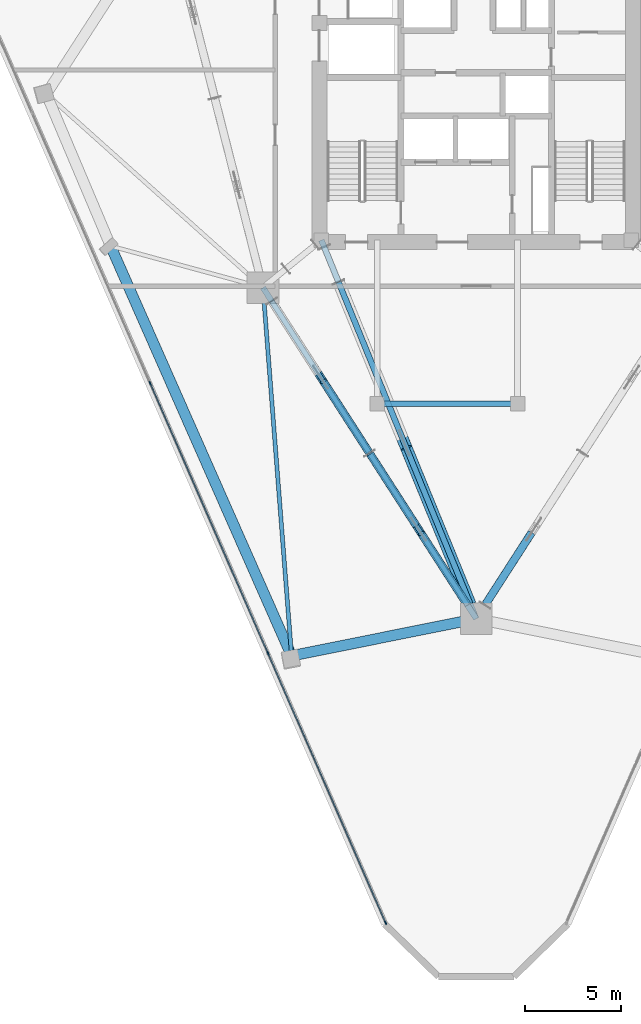
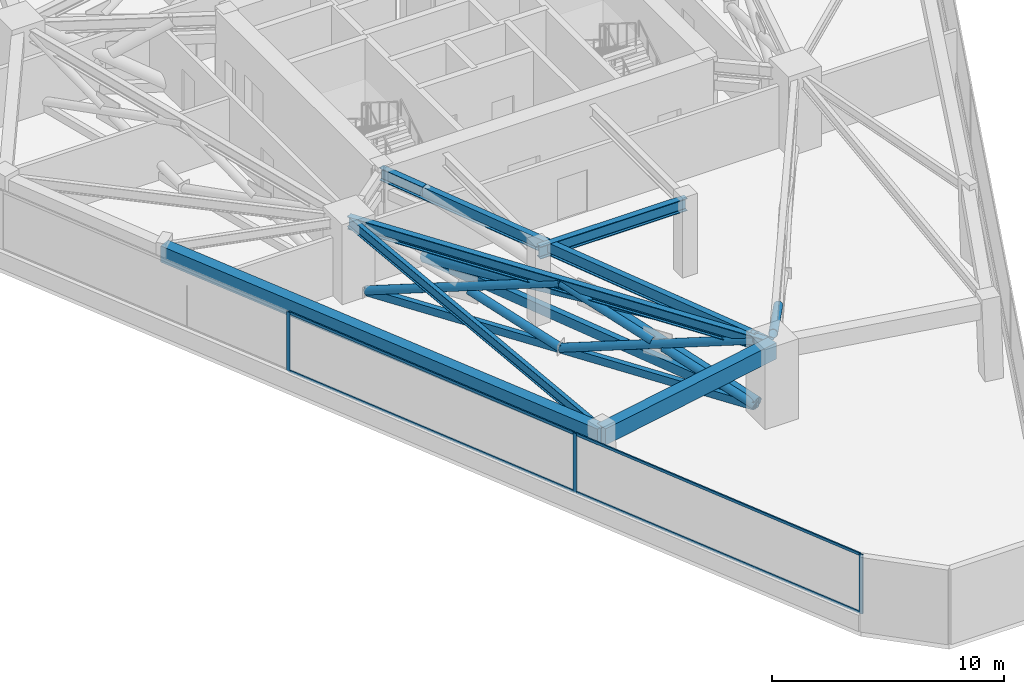
# One storey, part 2 of 14: 21 members, 6 beams, 1 element without a shape of its own.
"""IFC4 building model written with IfcOpenShell, lengths in metres."""

from ifc_helpers import new_model, si_unit, direction, frame, origin, origin_2d, place, context, subcontext, project, spatial, rectangle, hollow_rectangle, hollow_circle, i_section, extrude, material, layer, layer_set, material_profile, profile_set, type_object, element, aggregate, save


model = new_model("IFC4")

# Units and contexts
model_context = context("Model", 3, precision=1e-05, world=origin(), true_north=direction((0.0, 1.0)))
body_context = subcontext(model_context, "Body", "Model", "MODEL_VIEW")
ifc_project = project(units=[si_unit("LENGTHUNIT", "METRE"), si_unit("AREAUNIT", "SQUARE_METRE"), si_unit("VOLUMEUNIT", "CUBIC_METRE"), si_unit("PLANEANGLEUNIT", "RADIAN"), si_unit("MASSUNIT", "GRAM", prefix="KILO")], contexts=[model_context])

# Site, building, storey
site_placement = place(None, origin())
site = spatial("IfcSite", under=ifc_project, at=site_placement, CompositionType="ELEMENT")
building_placement = place(site_placement, origin())
building = spatial("IfcBuilding", under=site, at=building_placement, Name="Talyreon Biosciences Tower", CompositionType="ELEMENT")
storey_placement = place(building_placement, frame((0.0, 0.0, 123.0)))
storey = spatial("IfcBuildingStorey", under=building, at=storey_placement, Name="L32", CompositionType="ELEMENT", Elevation=123.0)

# Members
ifc_material_1 = material(Name="Steel SM355", Category="steel")
ifc_material_profile_1 = material_profile(ifc_material_1, hollow_circle(Radius=0.203125, WallThickness=0.01611328125, at=origin_2d()), Name="CHS 406.4x16")
ifc_profile_set_1 = profile_set([ifc_material_profile_1], Name="Steel SM355")
member_type_1 = type_object("IfcMemberType", Name="BeltBrace_CHS406", PredefinedType="BRACE", material=ifc_profile_set_1)
member_1_placement = place(storey_placement, frame((68.855224609375, 46.10009765625, 2.0537109375), z_axis=(-0.508590410527, -0.789676647778, 0.343142224556), x_axis=(0.840722405347, -0.541466376747, 0.0)))
element("IfcMember", 1, at=member_1_placement, inside=storey, type_object=member_type_1, Name="L32 Split Diagonal BELT-L32-B1S1B-Upper", PredefinedType="BRACE", context=body_context, shape_type="SweptSolid", body=[
    extrude(hollow_circle(Radius=0.203125, WallThickness=0.01611328125, at=origin_2d()), origin(), (0.0, 0.0, 1.0), 4.724853515625),
])
member_2_placement = place(storey_placement, frame((55.365966796875, 58.178466796875, 0.239990234375), z_axis=(0.508569378693, -0.789682492965, 0.343159944284), x_axis=(0.840734422786, 0.54144771709, 0.0)))
element("IfcMember", 2, at=member_2_placement, inside=storey, type_object=member_type_1, Name="L32 Continuous Diagonal BELT-L32-B6S1A", PredefinedType="BRACE", context=body_context, shape_type="SweptSolid", body=[
    extrude(hollow_circle(Radius=0.203125, WallThickness=0.01611328125, at=origin_2d()), origin(), (0.0, 0.0, 1.0), 10.010009765625),
])
member_3_placement = place(storey_placement, frame((60.456787109375, 50.273681640625, 0.239990234375), z_axis=(-0.508590410527, 0.789676647778, 0.343142224556), x_axis=(-0.840722405347, -0.541466376747, 0.0)))
element("IfcMember", 3, at=member_3_placement, inside=storey, type_object=member_type_1, Name="L32 Split Diagonal BELT-L32-B6S1B-Lower", PredefinedType="BRACE", context=body_context, shape_type="SweptSolid", body=[
    extrude(hollow_circle(Radius=0.203125, WallThickness=0.01611328125, at=origin_2d()), origin(), (0.0, 0.0, 1.0), 4.724853515625),
])
member_4_placement = place(storey_placement, frame((60.456787109375, 50.273681640625, 0.239990234375), z_axis=(0.50858745967, -0.789672697895, 0.343155687794), x_axis=(0.84072260257, 0.541466070523, 0.0)))
element("IfcMember", 4, at=member_4_placement, inside=storey, type_object=member_type_1, Name="L32 Continuous Diagonal BELT-L32-B6S2A", PredefinedType="BRACE", context=body_context, shape_type="SweptSolid", body=[
    extrude(hollow_circle(Radius=0.203125, WallThickness=0.01611328125, at=origin_2d()), origin(), (0.0, 0.0, 1.0), 10.01025390625),
])
member_5_placement = place(storey_placement, frame((65.5478515625, 42.368896484375, 0.239990234375), z_axis=(-0.508590410527, 0.789676647778, 0.343142224556), x_axis=(-0.840722405347, -0.541466376747, 0.0)))
element("IfcMember", 5, at=member_5_placement, inside=storey, type_object=member_type_1, Name="L32 Split Diagonal BELT-L32-B6S2B-Lower", PredefinedType="BRACE", context=body_context, shape_type="SweptSolid", body=[
    extrude(hollow_circle(Radius=0.203125, WallThickness=0.01611328125, at=origin_2d()), origin(), (0.0, 0.0, 1.0), 4.724853515625),
])
member_6_placement = place(storey_placement, frame((62.860107421875, 46.54248046875, 2.0537109375), z_axis=(-0.508628714033, 0.789655895629, 0.343133207019), x_axis=(-0.840697363245, -0.541505257069, 0.0)))
element("IfcMember", 6, at=member_6_placement, inside=storey, type_object=member_type_1, Name="L32 Split Diagonal BELT-L32-B6S2B-Upper", PredefinedType="BRACE", context=body_context, shape_type="SweptSolid", body=[
    extrude(hollow_circle(Radius=0.203125, WallThickness=0.01611328125, at=origin_2d()), origin(), (0.0, 0.0, 1.0), 4.72509765625),
])
ifc_material_profile_2 = material_profile(ifc_material_1, hollow_rectangle(XDim=0.25, YDim=0.39990234375, WallThickness=0.01611328125, at=origin_2d()), Name="RHS 400x250x16")
ifc_profile_set_2 = profile_set([ifc_material_profile_2], Name="Steel SM355")
member_type_2 = type_object("IfcMemberType", Name="BeltChord_RHS400x250", PredefinedType="CHORD", material=ifc_profile_set_2)
for number, where, z_axis, x_axis, name in (
    (7, (55.365966796875, 58.178466796875, 0.239990234375), (0.54144771709, -0.840734422786, 0.0), (0.840734422786, 0.54144771709, 0.0), "L32 Truss Bottom Chord BELT-L32-B6S1"),
    (8, (55.365966796875, 58.178466796875, 3.675048828125), (0.54144771709, -0.840734422786, 0.0), (0.840734422786, 0.54144771709, 0.0), "L32 Truss Top Chord BELT-L32-B6S1"),
    (9, (60.456787109375, 50.273681640625, 0.239990234375), (0.541466070523, -0.84072260257, 0.0), (0.84072260257, 0.541466070523, 0.0), "L32 Truss Bottom Chord BELT-L32-B6S2"),
    (10, (60.456787109375, 50.273681640625, 3.675048828125), (0.541466070523, -0.84072260257, 0.0), (0.84072260257, 0.541466070523, 0.0), "L32 Truss Top Chord BELT-L32-B6S2"),
):
    element("IfcMember", number, at=place(storey_placement, frame(where, z_axis=z_axis, x_axis=x_axis)), inside=storey, type_object=member_type_2, Name=name, PredefinedType="CHORD", context=body_context, shape_type="SweptSolid", body=[
        extrude(hollow_rectangle(XDim=0.25, YDim=0.39990234375, WallThickness=0.01611328125, at=origin_2d()), origin(), (0.0, 0.0, 1.0), 9.40234375),
    ])

# Curtain wall, members
ifc_material_2 = material(Name="Thermally broken aluminium and low-E glazing", Category="aluminium")
ifc_layer = layer(ifc_material_2, 0.18994140625)
ifc_layer_set = layer_set([ifc_layer], Name="Thermally broken aluminium and low-E glazing")
curtain_wall_type = type_object("IfcCurtainWallType", Name="CurtainWall_Zone2Genomics", PredefinedType="NOTDEFINED", material=ifc_layer_set)
curtain_wall_placement = place(storey_placement, origin())
curtain_wall = element("IfcCurtainWall", 11, at=curtain_wall_placement, inside=storey, type_object=curtain_wall_type, Name="L32 Unitised Curtain Wall FCW-L32-00", PredefinedType="NOTDEFINED")
ifc_material_3 = material(Name="Anodised thermally broken aluminium", Category="aluminium")
ifc_material_profile_3 = material_profile(ifc_material_3, rectangle(XDim=0.06494140625, YDim=0.179931640625, at=origin_2d()), Name="ALUM MULLION 65x180")
ifc_profile_set_3 = profile_set([ifc_material_profile_3], Name="Anodised thermally broken aluminium")
member_type_3 = type_object("IfcMemberType", Name="CWMullion_65x180", PredefinedType="MULLION", material=ifc_profile_set_3)
member_7_placement = place(storey_placement, frame((61.294677734375, 25.854736328125, 0.81005859375), z_axis=(0.0, 0.0, 1.0), x_axis=(-0.916489607057, -0.400058495919, 0.0)))
member_7 = element("IfcMember", 12, at=member_7_placement, type_object=member_type_3, Name="CW3 mullion 1", PredefinedType="MULLION", context=body_context, shape_type="SweptSolid", body=[
    extrude(rectangle(XDim=0.06494140625, YDim=0.179931640625, at=origin_2d()), origin(), (0.0, 0.0, 1.0), 3.114990234375),
])
member_8_placement = place(storey_placement, frame((55.1767578125, 39.869873046875, 0.81005859375), z_axis=(0.0, 0.0, 1.0), x_axis=(-0.916489607057, -0.400058495919, 0.0)))
member_8 = element("IfcMember", 13, at=member_8_placement, type_object=member_type_3, Name="CW3 mullion 2", PredefinedType="MULLION", context=body_context, shape_type="SweptSolid", body=[
    extrude(rectangle(XDim=0.06494140625, YDim=0.179931640625, at=origin_2d()), origin(), (0.0, 0.0, 1.0), 3.114990234375),
])
member_9_placement = place(storey_placement, frame((49.046142578125, 53.914794921875, 0.81005859375), z_axis=(0.0, 0.0, 1.0), x_axis=(-0.916489607057, -0.400058495919, 0.0)))
member_9 = element("IfcMember", 14, at=member_9_placement, type_object=member_type_3, Name="CW3 mullion 3", PredefinedType="MULLION", context=body_context, shape_type="SweptSolid", body=[
    extrude(rectangle(XDim=0.06494140625, YDim=0.179931640625, at=origin_2d()), origin(), (0.0, 0.0, 1.0), 3.114990234375),
])
ifc_material_profile_4 = material_profile(ifc_material_3, rectangle(XDim=0.06494140625, YDim=0.139892578125, at=origin_2d()), Name="ALUM TRANSOM 65x140")
ifc_profile_set_4 = profile_set([ifc_material_profile_4], Name="Anodised thermally broken aluminium")
member_type_4 = type_object("IfcMemberType", Name="CWTransom_65x140", PredefinedType="USERDEFINED", material=ifc_profile_set_4)
member_10_placement = place(storey_placement, frame((61.281494140625, 25.884521484375, 0.842529296875), z_axis=(-0.400046570574, 0.916494812518, 0.0), x_axis=(-0.916494812518, -0.400046570574, 0.0)))
member_10 = element("IfcMember", 15, at=member_10_placement, type_object=member_type_4, Name="CW3 transom 1.1", ObjectType="TRANSOM", PredefinedType="USERDEFINED", context=body_context, shape_type="SweptSolid", body=[
    extrude(rectangle(XDim=0.06494140625, YDim=0.139892578125, at=origin_2d()), origin(), (0.0, 0.0, 1.0), 15.22705078125),
])
member_11_placement = place(storey_placement, frame((61.281494140625, 25.884521484375, 3.892578125), z_axis=(-0.400046570574, 0.916494812518, 0.0), x_axis=(-0.916494812518, -0.400046570574, 0.0)))
member_11 = element("IfcMember", 16, at=member_11_placement, type_object=member_type_4, Name="CW3 transom 1.2", ObjectType="TRANSOM", PredefinedType="USERDEFINED", context=body_context, shape_type="SweptSolid", body=[
    extrude(rectangle(XDim=0.06494140625, YDim=0.139892578125, at=origin_2d()), origin(), (0.0, 0.0, 1.0), 15.22705078125),
])
member_12_placement = place(storey_placement, frame((55.163818359375, 39.899658203125, 0.842529296875), z_axis=(-0.400056615307, 0.916490427964, 0.0), x_axis=(-0.916490427964, -0.400056615307, 0.0)))
member_12 = element("IfcMember", 17, at=member_12_placement, type_object=member_type_4, Name="CW3 transom 2.1", ObjectType="TRANSOM", PredefinedType="USERDEFINED", context=body_context, shape_type="SweptSolid", body=[
    extrude(rectangle(XDim=0.06494140625, YDim=0.139892578125, at=origin_2d()), origin(), (0.0, 0.0, 1.0), 15.259765625),
])
member_13_placement = place(storey_placement, frame((55.163818359375, 39.899658203125, 3.892578125), z_axis=(-0.400056615307, 0.916490427964, 0.0), x_axis=(-0.916490427964, -0.400056615307, 0.0)))
member_13 = element("IfcMember", 18, at=member_13_placement, type_object=member_type_4, Name="CW3 transom 2.2", ObjectType="TRANSOM", PredefinedType="USERDEFINED", context=body_context, shape_type="SweptSolid", body=[
    extrude(rectangle(XDim=0.06494140625, YDim=0.139892578125, at=origin_2d()), origin(), (0.0, 0.0, 1.0), 15.259765625),
])
aggregate(curtain_wall, [member_7, member_8, member_9, member_10, member_11, member_12, member_13])

# Beams
ifc_material_4 = material(Name="Precast concrete C45/55", Category="concrete")
ifc_material_profile_5 = material_profile(ifc_material_4, rectangle(XDim=0.550048828125, YDim=0.85009765625, at=origin_2d()), Name="RCB 550x850")
ifc_profile_set_5 = profile_set([ifc_material_profile_5], Name="Precast concrete C45/55")
beam_type_1 = type_object("IfcBeamType", Name="ExpressedSpandrel_550x850", PredefinedType="SPANDREL", material=ifc_profile_set_5)
beam_1_placement = place(storey_placement, frame((46.9921875, 61.04443359375, 3.5), z_axis=(0.403987239579, -0.914764620138, 0.0), x_axis=(0.914764620138, 0.403987239579, 0.0)))
element("IfcBeam", 19, at=beam_1_placement, inside=storey, type_object=beam_type_1, Name="L32 Expressed Horizontal Concrete Spandrel 11", PredefinedType="SPANDREL", context=body_context, shape_type="SweptSolid", body=[
    extrude(rectangle(XDim=0.550048828125, YDim=0.85009765625, at=origin_2d()), origin(), (0.0, 0.0, 1.0), 23.293701171875),
])
beam_2_placement = place(storey_placement, frame((56.402587890625, 39.736083984375, 3.5), z_axis=(0.980355587428, 0.197238237159, 0.0), x_axis=(-0.197238237159, 0.980355587428, 0.0)))
element("IfcBeam", 20, at=beam_2_placement, inside=storey, type_object=beam_type_1, Name="L32 Expressed Horizontal Concrete Spandrel 12", PredefinedType="SPANDREL", context=body_context, shape_type="SweptSolid", body=[
    extrude(rectangle(XDim=0.550048828125, YDim=0.85009765625, at=origin_2d()), origin(), (0.0, 0.0, 1.0), 9.789794921875),
])

# Members
ifc_material_profile_6 = material_profile(ifc_material_1, hollow_circle(Radius=0.304931640625, WallThickness=0.02490234375, at=origin_2d()), Name="CHS 610x25")
ifc_profile_set_6 = profile_set([ifc_material_profile_6], Name="Steel SM355")
member_type_5 = type_object("IfcMemberType", Name="OutriggerBrace_CHS610", PredefinedType="BRACE", material=ifc_profile_set_6)
member_14_placement = place(storey_placement, frame((58.839599609375, 59.1748046875, 0.239990234375), z_axis=(0.371888719992, -0.909319258375, 0.186647438478), x_axis=(0.925584592513, 0.378540832808, 0.0)))
element("IfcMember", 21, at=member_14_placement, inside=storey, type_object=member_type_5, Name="L32 Continuous Diagonal OUT-L32-R1A", PredefinedType="BRACE", context=body_context, shape_type="SweptSolid", body=[
    extrude(hollow_circle(Radius=0.304931640625, WallThickness=0.02490234375, at=origin_2d()), origin(), (0.0, 0.0, 1.0), 18.404052734375),
])
member_15_placement = place(storey_placement, frame((65.683837890625, 42.439697265625, 0.239990234375), z_axis=(-0.371897151111, 0.90931603477, 0.186646344473), x_axis=(-0.925581115427, -0.378549334651, 0.0)))
element("IfcMember", 22, at=member_15_placement, inside=storey, type_object=member_type_5, Name="L32 Split Diagonal OUT-L32-R1B-Lower", PredefinedType="BRACE", context=body_context, shape_type="SweptSolid", body=[
    extrude(hollow_circle(Radius=0.304931640625, WallThickness=0.02490234375, at=origin_2d()), origin(), (0.0, 0.0, 1.0), 8.922119140625),
])
ifc_material_profile_7 = material_profile(ifc_material_1, hollow_rectangle(XDim=0.300048828125, YDim=0.5, WallThickness=0.02001953125, at=origin_2d()), Name="RHS 500x300x20")
ifc_profile_set_7 = profile_set([ifc_material_profile_7], Name="Steel SM355")
member_type_6 = type_object("IfcMemberType", Name="OutriggerChord_RHS500x300", PredefinedType="CHORD", material=ifc_profile_set_7)
for number, where, z_axis, x_axis, name in (
    (23, (58.839599609375, 59.1748046875, 0.239990234375), (0.378540832808, -0.925584592513, 0.0), (0.925584592513, 0.378540832808, 0.0), "L32 Truss Bottom Chord OUT-L32-R1"),
    (24, (58.839599609375, 59.1748046875, 3.675048828125), (0.378540832808, -0.925584592513, 0.0), (0.925584592513, 0.378540832808, 0.0), "L32 Truss Top Chord OUT-L32-R1"),
):
    element("IfcMember", number, at=place(storey_placement, frame(where, z_axis=z_axis, x_axis=x_axis)), inside=storey, type_object=member_type_6, Name=name, PredefinedType="CHORD", context=body_context, shape_type="SweptSolid", body=[
        extrude(hollow_rectangle(XDim=0.300048828125, YDim=0.5, WallThickness=0.02001953125, at=origin_2d()), origin(), (0.0, 0.0, 1.0), 18.08056640625),
    ])

# Beams
ifc_material_profile_8 = material_profile(ifc_material_1, i_section(OverallWidth=0.300048828125, OverallDepth=0.64990234375, WebThickness=0.01611328125, FlangeThickness=0.031005859375, FilletRadius=0.027099609375, at=origin_2d()), Name="HE650B")
ifc_profile_set_8 = profile_set([ifc_material_profile_8], Name="Steel SM355")
beam_type_2 = type_object("IfcBeamType", Name="SteelBeam_HE650B", PredefinedType="BEAM", material=ifc_profile_set_8)
beam_3_placement = place(storey_placement, frame((54.913818359375, 58.88037109375, 3.60009765625), z_axis=(0.541463723609, -0.840724114092, 0.0), x_axis=(0.840724114092, 0.541463723609, 0.0)))
element("IfcBeam", 25, at=beam_3_placement, inside=storey, type_object=beam_type_2, Name="L32 Mega-Ring Girder 6", PredefinedType="BEAM", context=body_context, shape_type="SweptSolid", body=[
    extrude(i_section(OverallWidth=0.300048828125, OverallDepth=0.64990234375, WebThickness=0.01611328125, FlangeThickness=0.031005859375, FilletRadius=0.027099609375, at=origin_2d()), origin(), (0.0, 0.0, 1.0), 20.474365234375),
])
beam_4_placement = place(storey_placement, frame((57.949951171875, 61.35009765625, 3.60009765625), z_axis=(0.378547014545, -0.925582064314, 0.0), x_axis=(0.925582064314, 0.378547014545, 0.0)))
element("IfcBeam", 26, at=beam_4_placement, inside=storey, type_object=beam_type_2, Name="L32 Radial Primary Girder 1", PredefinedType="BEAM", context=body_context, shape_type="SweptSolid", body=[
    extrude(i_section(OverallWidth=0.300048828125, OverallDepth=0.64990234375, WebThickness=0.01611328125, FlangeThickness=0.031005859375, FilletRadius=0.027099609375, at=origin_2d()), origin(), (0.0, 0.0, 1.0), 21.265625),
])
beam_5_placement = place(storey_placement, frame((60.85009765625, 52.840087890625, 3.60009765625), z_axis=(1.0, 0.0, 0.0), x_axis=(0.0, 1.0, 0.0)))
element("IfcBeam", 27, at=beam_5_placement, inside=storey, type_object=beam_type_2, Name="L32 Crown Shaft Spine Girder S", PredefinedType="BEAM", context=body_context, shape_type="SweptSolid", body=[
    extrude(i_section(OverallWidth=0.300048828125, OverallDepth=0.64990234375, WebThickness=0.01611328125, FlangeThickness=0.031005859375, FilletRadius=0.027099609375, at=origin_2d()), origin(), (0.0, 0.0, 1.0), 7.2998046875),
])
ifc_material_profile_9 = material_profile(ifc_material_1, i_section(OverallWidth=0.2099609375, OverallDepth=0.550048828125, WebThickness=0.010986328125, FlangeThickness=0.01708984375, FilletRadius=0.02392578125, at=origin_2d()), Name="IPE550")
ifc_profile_set_9 = profile_set([ifc_material_profile_9], Name="Steel SM355")
beam_type_3 = type_object("IfcBeamType", Name="SteelJoist_IPE550", PredefinedType="JOIST", material=ifc_profile_set_9)
beam_6_placement = place(storey_placement, frame((54.913818359375, 58.88037109375, 3.64990234375), z_axis=(0.07753165028, -0.996989891225, 0.0), x_axis=(0.996989891225, 0.07753165028, 0.0)))
element("IfcBeam", 28, at=beam_6_placement, inside=storey, type_object=beam_type_3, Name="L32 Radial Composite Floor Joist PC-SW2", PredefinedType="JOIST", context=body_context, shape_type="SweptSolid", body=[
    extrude(i_section(OverallWidth=0.2099609375, OverallDepth=0.550048828125, WebThickness=0.010986328125, FlangeThickness=0.01708984375, FilletRadius=0.02392578125, at=origin_2d()), origin(), (0.0, 0.0, 1.0), 19.2021484375),
])

save(model, "model.ifc")
